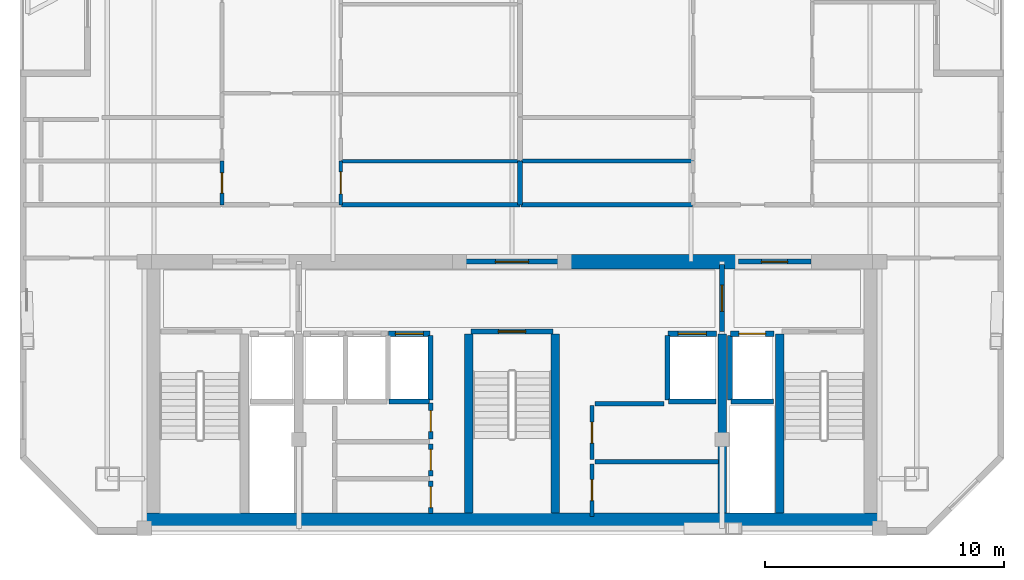
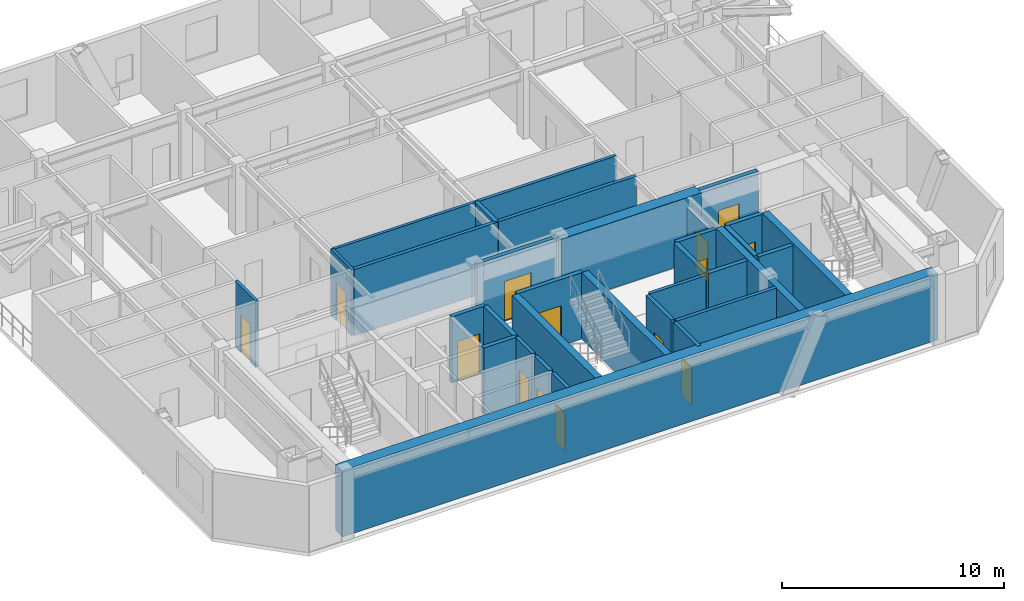
# One storey, part 3 of 7: 33 walls, 14 doors, 14 openings.
"""IFC4 building model written with IfcOpenShell, lengths in metres."""

from ifc_helpers import new_model, si_unit, direction, frame, frame_2d, origin, place, context, subcontext, project, spatial, rectangle, extrude, material, layer, layer_set, type_object, element, fill, save


model = new_model("IFC4")

# Units and contexts
model_context = context("Model", 3, precision=1e-05, world=origin(), true_north=direction((0.0, 1.0)))
body_context = subcontext(model_context, "Body", "Model", "MODEL_VIEW")
ifc_project = project(units=[si_unit("LENGTHUNIT", "METRE"), si_unit("AREAUNIT", "SQUARE_METRE"), si_unit("VOLUMEUNIT", "CUBIC_METRE"), si_unit("PLANEANGLEUNIT", "RADIAN"), si_unit("MASSUNIT", "GRAM", prefix="KILO")], contexts=[model_context])

# Site, building, storey
site_placement = place(None, origin())
site = spatial("IfcSite", under=ifc_project, at=site_placement, CompositionType="ELEMENT")
building_placement = place(site_placement, origin())
building = spatial("IfcBuilding", under=site, at=building_placement, Name="Ventersveld Concourse Tower", CompositionType="ELEMENT")
storey_placement = place(building_placement, frame((0.0, 0.0, 268.300048828125)))
storey = spatial("IfcBuildingStorey", under=building, at=storey_placement, Name="L66", CompositionType="ELEMENT", Elevation=268.300048828125)

# Walls
ifc_material_1 = material(Name="Concrete C50/60", Category="concrete")
ifc_layer_1 = layer(ifc_material_1, 0.35009765625)
ifc_layer_set_1 = layer_set([ifc_layer_1], Name="Concrete C50/60")
wall_type_1 = type_object("IfcWallType", Name="WL-CORE-350U", PredefinedType="SHEAR", material=ifc_layer_set_1)
for number, where, z_axis, x_axis, name in (
    (1, (26.93994140625, 0.919921875, 0.0), (0.0, 0.0, 1.0), (0.0, 1.0, 0.0), "L66 Core Internal Shear Web W-ST3-W"),
    (2, (30.56005859375, 0.919921875, 0.0), (0.0, 0.0, 1.0), (0.0, 1.0, 0.0), "L66 Core Internal Shear Web W-ST3-E"),
    (3, (37.550048828125, 0.919921875, 0.0), (0.0, 0.0, 1.0), (0.0, 1.0, 0.0), "L66 Core Internal Shear Web W-SVL-W"),
    (4, (39.9599609375, 0.919921875, 0.0), (0.0, 0.0, 1.0), (0.0, 1.0, 0.0), "L66 Core Internal Shear Web W-ST2-W"),
):
    element("IfcWall", number, at=place(storey_placement, frame(where, z_axis=z_axis, x_axis=x_axis)), inside=storey, type_object=wall_type_1, Name=name, PredefinedType="SHEAR", context=body_context, shape_type="SweptSolid", body=[
        extrude(rectangle(XDim=7.5, YDim=0.35009765625, at=frame_2d((3.75, 0.0))), origin(), (0.0, 0.0, 1.0), 3.64990234375),
    ])
ifc_layer_2 = layer(ifc_material_1, 0.60009765625)
ifc_layer_set_2 = layer_set([ifc_layer_2], Name="Concrete C50/60")
wall_type_2 = type_object("IfcWallType", Name="WL-CORE-600", PredefinedType="SHEAR", material=ifc_layer_set_2)
wall_1_placement = place(storey_placement, frame((13.25, 0.6201171875, 0.0), z_axis=(0.0, 0.0, 1.0), x_axis=(1.0, 0.0, 0.0)))
element("IfcWall", 5, at=wall_1_placement, inside=storey, type_object=wall_type_2, Name="L66 Rear Core South Shear Wall", PredefinedType="SHEAR", context=body_context, shape_type="SweptSolid", body=[
    extrude(rectangle(XDim=31.0, YDim=0.60009765625, at=frame_2d((15.5, 0.0))), origin(), (0.0, 0.0, 1.0), 3.64990234375),
])
wall_2_placement = place(storey_placement, frame((30.89990234375, 11.449951171875, 0.0), z_axis=(0.0, 0.0, 1.0), x_axis=(1.0, 0.0, 0.0)))
element("IfcWall", 6, at=wall_2_placement, inside=storey, type_object=wall_type_2, Name="L66 Rear Core North Shear Wall NMR", PredefinedType="SHEAR", context=body_context, shape_type="SweptSolid", body=[
    extrude(rectangle(XDim=7.300048828125, YDim=0.60009765625, at=frame_2d((3.64990234375, 0.0))), origin(), (0.0, 0.0, 1.0), 3.64990234375),
])

# Wall, opening, door
ifc_material_2 = material(Name="Fire-rated autoclaved aerated masonry blockwork", Category="masonry")
ifc_layer_3 = layer(ifc_material_2, 0.179931640625)
ifc_layer_set_3 = layer_set([ifc_layer_3], Name="Fire-rated autoclaved aerated masonry blockwork")
wall_type_3 = type_object("IfcWallType", Name="WL-CORR-180", PredefinedType="PARTITIONING", material=ifc_layer_set_3)
wall_3_placement = place(storey_placement, frame((25.35009765625, 0.89990234375, 0.0), z_axis=(0.0, 0.0, 1.0), x_axis=(0.0, 1.0, 0.0)))
wall_3 = element("IfcWall", 7, at=wall_3_placement, inside=storey, type_object=wall_type_3, Name="L66 Core Passage Wall SP-L66-RECB1S", PredefinedType="PARTITIONING", context=body_context, shape_type="SweptSolid", body=[
    extrude(rectangle(XDim=1.3701171875, YDim=0.179931640625, at=frame_2d((0.68505859375, 0.0))), origin(), (0.0, 0.0, 1.0), 3.64990234375),
])
opening_1_placement = place(wall_3_placement, frame((0.2451171875, 0.0, 0.0)))
opening_1 = element("IfcOpeningElement", 8, at=opening_1_placement, cuts=wall_3, Name="Opening FD5", PredefinedType="OPENING", context=body_context, shape_type="SweptSolid", body=[
    extrude(rectangle(XDim=0.8798828125, YDim=2.050048828125, at=frame_2d((0.43994140625, 1.02490234375))), frame((0.0, 0.10009765625, 0.0), z_axis=(0.0, -1.0, 0.0), x_axis=(1.0, 0.0, 0.0)), (0.0, 0.0, 1.0), 0.199951171875),
])
ifc_material_3 = material(Name="Galvanised painted steel", Category="steel")
door_type_1 = type_object("IfcDoorType", Name="DR-RISER-088", OperationType="NOTDEFINED", PredefinedType="DOOR", material=ifc_material_3)
door_1_placement = place(opening_1_placement, origin())
door_1 = element("IfcDoor", 9, at=door_1_placement, inside=storey, type_object=door_type_1, Name="L66 Core Room Door L66 Reclaimed Core Wine Cellar Store (CD-L66-3098)", OperationType="SINGLE_SWING_LEFT", OverallHeight=2.050048828125, OverallWidth=0.8798828125, PredefinedType="DOOR", context=body_context, shape_type="SweptSolid", body=[
    extrude(rectangle(XDim=0.8798828125, YDim=2.050048828125, at=frame_2d((0.43994140625, 1.02490234375))), frame((0.0, 0.02490234375, 0.0), z_axis=(0.0, -1.0, 0.0), x_axis=(1.0, 0.0, 0.0)), (0.0, 0.0, 1.0), 0.050048828125),
])
fill(opening_1, door_1)

wall_4_placement = place(storey_placement, frame((25.35009765625, 2.469970703125, 0.0), z_axis=(0.0, 0.0, 1.0), x_axis=(0.0, 1.0, 0.0)))
wall_4 = element("IfcWall", 10, at=wall_4_placement, inside=storey, type_object=wall_type_3, Name="L66 Core Passage Wall SP-L66-RECB1M", PredefinedType="PARTITIONING", context=body_context, shape_type="SweptSolid", body=[
    extrude(rectangle(XDim=1.340087890625, YDim=0.179931640625, at=frame_2d((0.669921875, 0.0))), origin(), (0.0, 0.0, 1.0), 3.64990234375),
])
opening_2_placement = place(wall_4_placement, frame((0.22998046875, 0.0, 0.0)))
opening_2 = element("IfcOpeningElement", 11, at=opening_2_placement, cuts=wall_4, Name="Opening FD5", PredefinedType="OPENING", context=body_context, shape_type="SweptSolid", body=[
    extrude(rectangle(XDim=0.8798828125, YDim=2.050048828125, at=frame_2d((0.43994140625, 1.02490234375))), frame((0.0, 0.10009765625, 0.0), z_axis=(0.0, -1.0, 0.0), x_axis=(1.0, 0.0, 0.0)), (0.0, 0.0, 1.0), 0.199951171875),
])
door_2_placement = place(opening_2_placement, origin())
door_2 = element("IfcDoor", 12, at=door_2_placement, inside=storey, type_object=door_type_1, Name="L66 Core Room Door L66 Reclaimed Core Archive Store (CD-L66-3099)", OperationType="SINGLE_SWING_RIGHT", OverallHeight=2.050048828125, OverallWidth=0.8798828125, PredefinedType="DOOR", context=body_context, shape_type="SweptSolid", body=[
    extrude(rectangle(XDim=0.8798828125, YDim=2.050048828125, at=frame_2d((0.43994140625, 1.02490234375))), frame((0.0, 0.02490234375, 0.0), z_axis=(0.0, -1.0, 0.0), x_axis=(1.0, 0.0, 0.0)), (0.0, 0.0, 1.0), 0.050048828125),
])
fill(opening_2, door_2)

wall_5_placement = place(storey_placement, frame((25.35009765625, 4.010009765625, 0.0), z_axis=(0.0, 0.0, 1.0), x_axis=(0.0, 1.0, 0.0)))
wall_5 = element("IfcWall", 13, at=wall_5_placement, inside=storey, type_object=wall_type_3, Name="L66 Core Passage Wall SP-L66-RECB1N", PredefinedType="PARTITIONING", context=body_context, shape_type="SweptSolid", body=[
    extrude(rectangle(XDim=1.510009765625, YDim=0.179931640625, at=frame_2d((0.7548828125, 0.0))), origin(), (0.0, 0.0, 1.0), 3.64990234375),
])
opening_3_placement = place(wall_5_placement, frame((0.31494140625, 0.0, 0.0)))
opening_3 = element("IfcOpeningElement", 14, at=opening_3_placement, cuts=wall_5, Name="Opening FD5", PredefinedType="OPENING", context=body_context, shape_type="SweptSolid", body=[
    extrude(rectangle(XDim=0.8798828125, YDim=2.050048828125, at=frame_2d((0.43994140625, 1.02490234375))), frame((0.0, 0.10009765625, 0.0), z_axis=(0.0, -1.0, 0.0), x_axis=(1.0, 0.0, 0.0)), (0.0, 0.0, 1.0), 0.199951171875),
])
door_3_placement = place(opening_3_placement, origin())
door_3 = element("IfcDoor", 15, at=door_3_placement, inside=storey, type_object=door_type_1, Name="L66 Core Room Door L66 Reclaimed Core Pram and Cycle Store (CD-L66-3100)", OperationType="SINGLE_SWING_LEFT", OverallHeight=2.050048828125, OverallWidth=0.8798828125, PredefinedType="DOOR", context=body_context, shape_type="SweptSolid", body=[
    extrude(rectangle(XDim=0.8798828125, YDim=2.050048828125, at=frame_2d((0.43994140625, 1.02490234375))), frame((0.0, 0.02490234375, 0.0), z_axis=(0.0, -1.0, 0.0), x_axis=(1.0, 0.0, 0.0)), (0.0, 0.0, 1.0), 0.050048828125),
])
fill(opening_3, door_3)

wall_6_placement = place(storey_placement, frame((32.10009765625, 0.780029296875, 0.0), z_axis=(0.0, 0.0, 1.0), x_axis=(0.0, 1.0, 0.0)))
wall_6 = element("IfcWall", 16, at=wall_6_placement, inside=storey, type_object=wall_type_3, Name="L66 Core Passage Wall SP-L66-RECB2S", PredefinedType="PARTITIONING", context=body_context, shape_type="SweptSolid", body=[
    extrude(rectangle(XDim=2.199951171875, YDim=0.179931640625, at=frame_2d((1.10009765625, 0.0))), origin(), (0.0, 0.0, 1.0), 3.64990234375),
])
opening_4_placement = place(wall_6_placement, frame((0.659912109375, 0.0, 0.0)))
opening_4 = element("IfcOpeningElement", 17, at=opening_4_placement, cuts=wall_6, Name="Opening FD5", PredefinedType="OPENING", context=body_context, shape_type="SweptSolid", body=[
    extrude(rectangle(XDim=0.8798828125, YDim=2.050048828125, at=frame_2d((0.43994140625, 1.02490234375))), frame((0.0, 0.10009765625, 0.0), z_axis=(0.0, -1.0, 0.0), x_axis=(1.0, 0.0, 0.0)), (0.0, 0.0, 1.0), 0.199951171875),
])
door_4_placement = place(opening_4_placement, origin())
door_4 = element("IfcDoor", 18, at=door_4_placement, inside=storey, type_object=door_type_1, Name="L66 Core Room Door L66 Reclaimed Core Quiet Library Pod (CD-L66-3101)", OperationType="SINGLE_SWING_RIGHT", OverallHeight=2.050048828125, OverallWidth=0.8798828125, PredefinedType="DOOR", context=body_context, shape_type="SweptSolid", body=[
    extrude(rectangle(XDim=0.8798828125, YDim=2.050048828125, at=frame_2d((0.43994140625, 1.02490234375))), frame((0.0, 0.02490234375, 0.0), z_axis=(0.0, -1.0, 0.0), x_axis=(1.0, 0.0, 0.0)), (0.0, 0.0, 1.0), 0.050048828125),
])
fill(opening_4, door_4)

# Wall
wall_7_placement = place(storey_placement, frame((32.219970703125, 3.06005859375, 0.0), z_axis=(0.0, 0.0, 1.0), x_axis=(1.0, 0.0, 0.0)))
element("IfcWall", 19, at=wall_7_placement, inside=storey, type_object=wall_type_3, Name="L66 Core Top Wall SP-L66-RECB2S", PredefinedType="PARTITIONING", context=body_context, shape_type="SweptSolid", body=[
    extrude(rectangle(XDim=5.179931640625, YDim=0.179931640625, at=frame_2d((2.58984375, 0.0))), origin(), (0.0, 0.0, 1.0), 3.64990234375),
])

# Wall, opening, door
wall_8_placement = place(storey_placement, frame((32.10009765625, 3.159912109375, 0.0), z_axis=(0.0, 0.0, 1.0), x_axis=(0.0, 1.0, 0.0)))
wall_8 = element("IfcWall", 20, at=wall_8_placement, inside=storey, type_object=wall_type_3, Name="L66 Core Passage Wall SP-L66-RECB2N", PredefinedType="PARTITIONING", context=body_context, shape_type="SweptSolid", body=[
    extrude(rectangle(XDim=2.260009765625, YDim=0.179931640625, at=frame_2d((1.1298828125, 0.0))), origin(), (0.0, 0.0, 1.0), 3.64990234375),
])
opening_5_placement = place(wall_8_placement, frame((0.68994140625, 0.0, 0.0)))
opening_5 = element("IfcOpeningElement", 21, at=opening_5_placement, cuts=wall_8, Name="Opening FD5", PredefinedType="OPENING", context=body_context, shape_type="SweptSolid", body=[
    extrude(rectangle(XDim=0.8798828125, YDim=2.050048828125, at=frame_2d((0.43994140625, 1.02490234375))), frame((0.0, 0.10009765625, 0.0), z_axis=(0.0, -1.0, 0.0), x_axis=(1.0, 0.0, 0.0)), (0.0, 0.0, 1.0), 0.199951171875),
])
door_5_placement = place(opening_5_placement, origin())
door_5 = element("IfcDoor", 22, at=door_5_placement, inside=storey, type_object=door_type_1, Name="L66 Core Room Door L66 Reclaimed Core Music Practice Room (CD-L66-3102)", OperationType="SINGLE_SWING_LEFT", OverallHeight=2.050048828125, OverallWidth=0.8798828125, PredefinedType="DOOR", context=body_context, shape_type="SweptSolid", body=[
    extrude(rectangle(XDim=0.8798828125, YDim=2.050048828125, at=frame_2d((0.43994140625, 1.02490234375))), frame((0.0, 0.02490234375, 0.0), z_axis=(0.0, -1.0, 0.0), x_axis=(1.0, 0.0, 0.0)), (0.0, 0.0, 1.0), 0.050048828125),
])
fill(opening_5, door_5)

# Walls
wall_9_placement = place(storey_placement, frame((32.219970703125, 5.5, 0.0), z_axis=(0.0, 0.0, 1.0), x_axis=(1.0, 0.0, 0.0)))
element("IfcWall", 23, at=wall_9_placement, inside=storey, type_object=wall_type_3, Name="L66 Core Top Wall SP-L66-RECB2N", PredefinedType="PARTITIONING", context=body_context, shape_type="SweptSolid", body=[
    extrude(rectangle(XDim=2.900146484375, YDim=0.179931640625, at=frame_2d((1.4501953125, 0.0))), origin(), (0.0, 0.0, 1.0), 3.64990234375),
])
wall_10_placement = place(storey_placement, frame((21.616943359375, 13.830078125, 0.0), z_axis=(0.0, 0.0, 1.0), x_axis=(1.0, 0.0, 0.0)))
element("IfcWall", 24, at=wall_10_placement, inside=storey, type_object=wall_type_3, Name="L66 Interior Partition SP-L66-COR-SP-L66-66N1-KIT", PredefinedType="PARTITIONING", context=body_context, shape_type="SweptSolid", body=[
    extrude(rectangle(XDim=7.475830078125, YDim=0.179931640625, at=frame_2d((3.73779296875, 0.0))), origin(), (0.0, 0.0, 1.0), 3.64990234375),
])
wall_11_placement = place(storey_placement, frame((29.122802734375, 13.830078125, 0.0), z_axis=(0.0, 0.0, 1.0), x_axis=(1.0, 0.0, 0.0)))
element("IfcWall", 25, at=wall_11_placement, inside=storey, type_object=wall_type_3, Name="L66 Interior Partition SP-L66-COR-SP-L66-66N2-BATH", PredefinedType="PARTITIONING", context=body_context, shape_type="SweptSolid", body=[
    extrude(rectangle(XDim=7.18115234375, YDim=0.179931640625, at=frame_2d((3.590576171875, 0.0))), origin(), (0.0, 0.0, 1.0), 3.64990234375),
])
ifc_layer_4 = layer(ifc_material_2, 0.199951171875)
ifc_layer_set_4 = layer_set([ifc_layer_4], Name="Fire-rated autoclaved aerated masonry blockwork")
wall_type_4 = type_object("IfcWallType", Name="WL-DEMISE-200", PredefinedType="PARTITIONING", material=ifc_layer_set_4)
wall_12_placement = place(storey_placement, frame((29.087890625, 13.824951171875, 0.0), z_axis=(0.0, 0.0, 1.0), x_axis=(0.0, 1.0, 0.0)))
element("IfcWall", 26, at=wall_12_placement, inside=storey, type_object=wall_type_4, Name="L66 Interior Partition SP-L66-66N1-KIT-SP-L66-66N2-BATH", PredefinedType="PARTITIONING", context=body_context, shape_type="SweptSolid", body=[
    extrude(rectangle(XDim=1.840087890625, YDim=0.199951171875, at=frame_2d((0.919921875, 0.0))), origin(), (0.0, 0.0, 1.0), 3.64990234375),
])
ifc_layer_5 = layer(ifc_material_2, 0.219970703125)
ifc_layer_set_5 = layer_set([ifc_layer_5], Name="Fire-rated autoclaved aerated masonry blockwork")
wall_type_5 = type_object("IfcWallType", Name="WL-HOIST-220", PredefinedType="SOLIDWALL", material=ifc_layer_set_5)
wall_13_placement = place(storey_placement, frame((37.919921875, 5.590087890625, 0.0), z_axis=(0.0, 0.0, 1.0), x_axis=(1.0, 0.0, 0.0)))
element("IfcWall", 27, at=wall_13_placement, inside=storey, type_object=wall_type_5, Name="L66 Lift Hoistway Back Wall FFL-02", PredefinedType="SOLIDWALL", context=body_context, shape_type="SweptSolid", body=[
    extrude(rectangle(XDim=1.780029296875, YDim=0.219970703125, at=frame_2d((0.89013671875, 0.0))), origin(), (0.0, 0.0, 1.0), 3.64990234375),
])
wall_14_placement = place(storey_placement, frame((37.8798828125, 5.64990234375, 0.0), z_axis=(0.0, 0.0, 1.0), x_axis=(0.0, 1.0, 0.0)))
element("IfcWall", 28, at=wall_14_placement, inside=storey, type_object=wall_type_5, Name="L66 Lift Hoistway Side Wall FFL-02W", PredefinedType="SOLIDWALL", context=body_context, shape_type="SweptSolid", body=[
    extrude(rectangle(XDim=2.7001953125, YDim=0.219970703125, at=frame_2d((1.35009765625, 0.0))), origin(), (0.0, 0.0, 1.0), 3.64990234375),
])

# Wall, opening, door
wall_15_placement = place(storey_placement, frame((37.89990234375, 8.429931640625, 0.0), z_axis=(0.0, 0.0, 1.0), x_axis=(1.0, 0.0, 0.0)))
wall_15 = element("IfcWall", 29, at=wall_15_placement, inside=storey, type_object=wall_type_5, Name="L66 Lift Hoistway Front Wall FFL-02", PredefinedType="SOLIDWALL", context=body_context, shape_type="SweptSolid", body=[
    extrude(rectangle(XDim=1.820068359375, YDim=0.219970703125, at=frame_2d((0.91015625, 0.0))), origin(), (0.0, 0.0, 1.0), 3.64990234375),
])
opening_6_placement = place(wall_15_placement, frame((0.35009765625, 0.0, 0.0)))
opening_6 = element("IfcOpeningElement", 30, at=opening_6_placement, cuts=wall_15, Name="Opening LD1", PredefinedType="OPENING", context=body_context, shape_type="SweptSolid", body=[
    extrude(rectangle(XDim=1.1201171875, YDim=2.25, at=frame_2d((0.56005859375, 1.125))), frame((0.0, 0.1201171875, 0.0), z_axis=(0.0, -1.0, 0.0), x_axis=(1.0, 0.0, 0.0)), (0.0, 0.0, 1.0), 0.239990234375),
])
ifc_material_4 = material(Name="Brushed stainless steel 316", Category="steel")
door_type_2 = type_object("IfcDoorType", Name="LD-FF-112", OperationType="SLIDING_TO_LEFT", PredefinedType="DOOR", material=ifc_material_4)
door_6_placement = place(opening_6_placement, origin())
door_6 = element("IfcDoor", 31, at=door_6_placement, inside=storey, type_object=door_type_2, Name="L66 Lift landing door FFL-02 (LD-L66-FFL-02)", OperationType="SLIDING_TO_LEFT", OverallHeight=2.25, OverallWidth=1.1201171875, PredefinedType="DOOR", context=body_context, shape_type="SweptSolid", body=[
    extrude(rectangle(XDim=1.1201171875, YDim=2.25, at=frame_2d((0.56005859375, 1.125))), frame((0.0, 0.02490234375, 0.0), z_axis=(0.0, -1.0, 0.0), x_axis=(1.0, 0.0, 0.0)), (0.0, 0.0, 1.0), 0.050048828125),
])
fill(opening_6, door_6)

# Walls
wall_16_placement = place(storey_placement, frame((35.300048828125, 5.590087890625, 0.0), z_axis=(0.0, 0.0, 1.0), x_axis=(1.0, 0.0, 0.0)))
element("IfcWall", 32, at=wall_16_placement, inside=storey, type_object=wall_type_5, Name="L66 Lift Hoistway Back Wall SVL-01", PredefinedType="SOLIDWALL", context=body_context, shape_type="SweptSolid", body=[
    extrude(rectangle(XDim=2.0, YDim=0.219970703125, at=frame_2d((1.0, 0.0))), origin(), (0.0, 0.0, 1.0), 3.64990234375),
])
wall_17_placement = place(storey_placement, frame((35.260009765625, 5.64990234375, 0.0), z_axis=(0.0, 0.0, 1.0), x_axis=(0.0, 1.0, 0.0)))
element("IfcWall", 33, at=wall_17_placement, inside=storey, type_object=wall_type_5, Name="L66 Lift Hoistway Side Wall SVL-01W", PredefinedType="SOLIDWALL", context=body_context, shape_type="SweptSolid", body=[
    extrude(rectangle(XDim=2.7001953125, YDim=0.219970703125, at=frame_2d((1.35009765625, 0.0))), origin(), (0.0, 0.0, 1.0), 3.64990234375),
])

# Wall, opening, door
wall_18_placement = place(storey_placement, frame((35.280029296875, 8.429931640625, 0.0), z_axis=(0.0, 0.0, 1.0), x_axis=(1.0, 0.0, 0.0)))
wall_18 = element("IfcWall", 34, at=wall_18_placement, inside=storey, type_object=wall_type_5, Name="L66 Lift Hoistway Front Wall SVL-01", PredefinedType="SOLIDWALL", context=body_context, shape_type="SweptSolid", body=[
    extrude(rectangle(XDim=2.0400390625, YDim=0.219970703125, at=frame_2d((1.02001953125, 0.0))), origin(), (0.0, 0.0, 1.0), 3.64990234375),
])
opening_7_placement = place(wall_18_placement, frame((0.429931640625, 0.0, 0.0)))
opening_7 = element("IfcOpeningElement", 35, at=opening_7_placement, cuts=wall_18, Name="Opening LD2", PredefinedType="OPENING", context=body_context, shape_type="SweptSolid", body=[
    extrude(rectangle(XDim=1.179931640625, YDim=2.199951171875, at=frame_2d((0.58984375, 1.10009765625))), frame((0.0, 0.1201171875, 0.0), z_axis=(0.0, -1.0, 0.0), x_axis=(1.0, 0.0, 0.0)), (0.0, 0.0, 1.0), 0.239990234375),
])
door_type_3 = type_object("IfcDoorType", Name="LD-PAX-118", OperationType="SLIDING_TO_LEFT", PredefinedType="DOOR", material=ifc_material_4)
door_7_placement = place(opening_7_placement, origin())
door_7 = element("IfcDoor", 36, at=door_7_placement, inside=storey, type_object=door_type_3, Name="L66 Lift landing door SVL-01 (LD-L66-SVL-01)", OperationType="SLIDING_TO_RIGHT", OverallHeight=2.199951171875, OverallWidth=1.179931640625, PredefinedType="DOOR", context=body_context, shape_type="SweptSolid", body=[
    extrude(rectangle(XDim=1.179931640625, YDim=2.199951171875, at=frame_2d((0.58984375, 1.10009765625))), frame((0.0, 0.02490234375, 0.0), z_axis=(0.0, -1.0, 0.0), x_axis=(1.0, 0.0, 0.0)), (0.0, 0.0, 1.0), 0.050048828125),
])
fill(opening_7, door_7)

# Walls
wall_19_placement = place(storey_placement, frame((23.60009765625, 5.590087890625, 0.0), z_axis=(0.0, 0.0, 1.0), x_axis=(1.0, 0.0, 0.0)))
element("IfcWall", 37, at=wall_19_placement, inside=storey, type_object=wall_type_5, Name="L66 Lift Hoistway Back Wall PH-03", PredefinedType="SOLIDWALL", context=body_context, shape_type="SweptSolid", body=[
    extrude(rectangle(XDim=1.699951171875, YDim=0.219970703125, at=frame_2d((0.85009765625, 0.0))), origin(), (0.0, 0.0, 1.0), 3.64990234375),
])
wall_20_placement = place(storey_placement, frame((25.340087890625, 5.64990234375, 0.0), z_axis=(0.0, 0.0, 1.0), x_axis=(0.0, 1.0, 0.0)))
element("IfcWall", 38, at=wall_20_placement, inside=storey, type_object=wall_type_5, Name="L66 Lift Hoistway Side Wall PH-03E", PredefinedType="SOLIDWALL", context=body_context, shape_type="SweptSolid", body=[
    extrude(rectangle(XDim=2.7001953125, YDim=0.219970703125, at=frame_2d((1.35009765625, 0.0))), origin(), (0.0, 0.0, 1.0), 3.64990234375),
])

# Wall, opening, door
wall_21_placement = place(storey_placement, frame((23.580078125, 8.429931640625, 0.0), z_axis=(0.0, 0.0, 1.0), x_axis=(1.0, 0.0, 0.0)))
wall_21 = element("IfcWall", 39, at=wall_21_placement, inside=storey, type_object=wall_type_5, Name="L66 Lift Hoistway Front Wall PH-03", PredefinedType="SOLIDWALL", context=body_context, shape_type="SweptSolid", body=[
    extrude(rectangle(XDim=1.739990234375, YDim=0.219970703125, at=frame_2d((0.8701171875, 0.0))), origin(), (0.0, 0.0, 1.0), 3.64990234375),
])
opening_8_placement = place(wall_21_placement, frame((0.280029296875, 0.0, 0.0)))
opening_8 = element("IfcOpeningElement", 40, at=opening_8_placement, cuts=wall_21, Name="Opening LD2", PredefinedType="OPENING", context=body_context, shape_type="SweptSolid", body=[
    extrude(rectangle(XDim=1.179931640625, YDim=2.199951171875, at=frame_2d((0.58984375, 1.10009765625))), frame((0.0, 0.1201171875, 0.0), z_axis=(0.0, -1.0, 0.0), x_axis=(1.0, 0.0, 0.0)), (0.0, 0.0, 1.0), 0.239990234375),
])
door_8_placement = place(opening_8_placement, origin())
door_8 = element("IfcDoor", 41, at=door_8_placement, inside=storey, type_object=door_type_3, Name="L66 Lift landing door PH-03 (LD-L66-PH-03)", OperationType="SLIDING_TO_LEFT", OverallHeight=2.199951171875, OverallWidth=1.179931640625, PredefinedType="DOOR", context=body_context, shape_type="SweptSolid", body=[
    extrude(rectangle(XDim=1.179931640625, YDim=2.199951171875, at=frame_2d((0.58984375, 1.10009765625))), frame((0.0, 0.02490234375, 0.0), z_axis=(0.0, -1.0, 0.0), x_axis=(1.0, 0.0, 0.0)), (0.0, 0.0, 1.0), 0.050048828125),
])
fill(opening_8, door_8)

wall_22_placement = place(storey_placement, frame((27.0400390625, 8.52001953125, 0.0), z_axis=(0.0, 0.0, 1.0), x_axis=(1.0, 0.0, 0.0)))
wall_22 = element("IfcWall", 42, at=wall_22_placement, inside=storey, type_object=wall_type_5, Name="L66 Escape Stair ST03 Fire Wall", PredefinedType="SOLIDWALL", context=body_context, shape_type="SweptSolid", body=[
    extrude(rectangle(XDim=3.419921875, YDim=0.219970703125, at=frame_2d((1.7099609375, 0.0))), origin(), (0.0, 0.0, 1.0), 3.64990234375),
])
opening_9_placement = place(wall_22_placement, frame((1.135009765625, 0.0, 0.0)))
opening_9 = element("IfcOpeningElement", 43, at=opening_9_placement, cuts=wall_22, Name="Opening FD1", PredefinedType="OPENING", context=body_context, shape_type="SweptSolid", body=[
    extrude(rectangle(XDim=1.14990234375, YDim=2.199951171875, at=frame_2d((0.574951171875, 1.10009765625))), frame((0.0, 0.1201171875, 0.0), z_axis=(0.0, -1.0, 0.0), x_axis=(1.0, 0.0, 0.0)), (0.0, 0.0, 1.0), 0.239990234375),
])
door_type_4 = type_object("IfcDoorType", Name="DR-STAIR-115", OperationType="NOTDEFINED", PredefinedType="DOOR", material=ifc_material_3)
door_9_placement = place(opening_9_placement, origin())
door_9 = element("IfcDoor", 44, at=door_9_placement, inside=storey, type_object=door_type_4, Name="L66 Escape Stair Door ST03 (SD-L66-3092)", OperationType="SINGLE_SWING_LEFT", OverallHeight=2.199951171875, OverallWidth=1.14990234375, PredefinedType="DOOR", context=body_context, shape_type="SweptSolid", body=[
    extrude(rectangle(XDim=1.14990234375, YDim=2.199951171875, at=frame_2d((0.574951171875, 1.10009765625))), frame((0.0, 0.02490234375, 0.0), z_axis=(0.0, -1.0, 0.0), x_axis=(1.0, 0.0, 0.0)), (0.0, 0.0, 1.0), 0.050048828125),
])
fill(opening_9, door_9)

wall_23_placement = place(storey_placement, frame((37.550048828125, 8.52001953125, 0.0), z_axis=(0.0, 0.0, 1.0), x_axis=(0.0, 1.0, 0.0)))
wall_23 = element("IfcWall", 45, at=wall_23_placement, inside=storey, type_object=wall_type_5, Name="L66 Firefighting Lobby Smoke-Stop Wall FFLE-SEP", PredefinedType="SOLIDWALL", context=body_context, shape_type="SweptSolid", body=[
    extrude(rectangle(XDim=2.800048828125, YDim=0.219970703125, at=frame_2d((1.39990234375, 0.0))), origin(), (0.0, 0.0, 1.0), 3.10546875),
])
opening_10_placement = place(wall_23_placement, frame((0.85009765625, 0.0, 0.0)))
opening_10 = element("IfcOpeningElement", 46, at=opening_10_placement, cuts=wall_23, Name="Opening FD2", PredefinedType="OPENING", context=body_context, shape_type="SweptSolid", body=[
    extrude(rectangle(XDim=1.10009765625, YDim=2.199951171875, at=frame_2d((0.550048828125, 1.10009765625))), frame((0.0, 0.1201171875, 0.0), z_axis=(0.0, -1.0, 0.0), x_axis=(1.0, 0.0, 0.0)), (0.0, 0.0, 1.0), 0.239990234375),
])
door_type_5 = type_object("IfcDoorType", Name="DR-FFL-110", OperationType="NOTDEFINED", PredefinedType="DOOR", material=ifc_material_3)
door_10_placement = place(opening_10_placement, origin())
door_10 = element("IfcDoor", 47, at=door_10_placement, inside=storey, type_object=door_type_5, Name="L66 Firefighting Lobby Door FFLE-SEP (FD-L66-3094)", OperationType="SINGLE_SWING_RIGHT", OverallHeight=2.199951171875, OverallWidth=1.10009765625, PredefinedType="DOOR", context=body_context, shape_type="SweptSolid", body=[
    extrude(rectangle(XDim=1.10009765625, YDim=2.199951171875, at=frame_2d((0.550048828125, 1.10009765625))), frame((0.0, 0.02490234375, 0.0), z_axis=(0.0, -1.0, 0.0), x_axis=(1.0, 0.0, 0.0)), (0.0, 0.0, 1.0), 0.050048828125),
])
fill(opening_10, door_10)

wall_24_placement = place(storey_placement, frame((26.6298828125, 11.449951171875, 0.0), z_axis=(0.0, 0.0, 1.0), x_axis=(1.0, 0.0, 0.0)))
wall_24 = element("IfcWall", 48, at=wall_24_placement, inside=storey, type_object=wall_type_5, Name="L66 Core North Fire Portal PLOB-OUT", PredefinedType="SOLIDWALL", context=body_context, shape_type="SweptSolid", body=[
    extrude(rectangle(XDim=4.240234375, YDim=0.219970703125, at=frame_2d((2.1201171875, 0.0))), origin(), (0.0, 0.0, 1.0), 3.64990234375),
])
opening_11_placement = place(wall_24_placement, frame((1.419921875, 0.0, 0.0)))
opening_11 = element("IfcOpeningElement", 49, at=opening_11_placement, cuts=wall_24, Name="Opening FD4", PredefinedType="OPENING", context=body_context, shape_type="SweptSolid", body=[
    extrude(rectangle(XDim=1.39990234375, YDim=2.199951171875, at=frame_2d((0.699951171875, 1.10009765625))), frame((0.0, 0.1201171875, 0.0), z_axis=(0.0, -1.0, 0.0), x_axis=(1.0, 0.0, 0.0)), (0.0, 0.0, 1.0), 0.239990234375),
])
door_type_6 = type_object("IfcDoorType", Name="DR-PLANT-140", OperationType="DOUBLE_DOOR_SINGLE_SWING", PredefinedType="DOOR", material=ifc_material_3)
door_11_placement = place(opening_11_placement, origin())
door_11 = element("IfcDoor", 50, at=door_11_placement, inside=storey, type_object=door_type_6, Name="L66 Core Lobby Fire Door PLOB-OUT (FD-L66-3096)", OperationType="DOUBLE_DOOR_SINGLE_SWING", OverallHeight=2.199951171875, OverallWidth=1.39990234375, PredefinedType="DOOR", context=body_context, shape_type="SweptSolid", body=[
    extrude(rectangle(XDim=1.39990234375, YDim=2.199951171875, at=frame_2d((0.699951171875, 1.10009765625))), frame((0.0, 0.02490234375, 0.0), z_axis=(0.0, -1.0, 0.0), x_axis=(1.0, 0.0, 0.0)), (0.0, 0.0, 1.0), 0.050048828125),
])
fill(opening_11, door_11)

wall_25_placement = place(storey_placement, frame((38.22998046875, 11.449951171875, 0.0), z_axis=(0.0, 0.0, 1.0), x_axis=(1.0, 0.0, 0.0)))
wall_25 = element("IfcWall", 51, at=wall_25_placement, inside=storey, type_object=wall_type_5, Name="L66 Core North Fire Portal FFLE-OUT", PredefinedType="SOLIDWALL", context=body_context, shape_type="SweptSolid", body=[
    extrude(rectangle(XDim=3.0400390625, YDim=0.219970703125, at=frame_2d((1.52001953125, 0.0))), origin(), (0.0, 0.0, 1.0), 3.64990234375),
])
opening_12_placement = place(wall_25_placement, frame((0.969970703125, 0.0, 0.0)))
opening_12 = element("IfcOpeningElement", 52, at=opening_12_placement, cuts=wall_25, Name="Opening FD2", PredefinedType="OPENING", context=body_context, shape_type="SweptSolid", body=[
    extrude(rectangle(XDim=1.10009765625, YDim=2.199951171875, at=frame_2d((0.550048828125, 1.10009765625))), frame((0.0, 0.1201171875, 0.0), z_axis=(0.0, -1.0, 0.0), x_axis=(1.0, 0.0, 0.0)), (0.0, 0.0, 1.0), 0.239990234375),
])
door_12_placement = place(opening_12_placement, origin())
door_12 = element("IfcDoor", 53, at=door_12_placement, inside=storey, type_object=door_type_5, Name="L66 Core Lobby Fire Door FFLE-OUT (FD-L66-3097)", OperationType="SINGLE_SWING_LEFT", OverallHeight=2.199951171875, OverallWidth=1.10009765625, PredefinedType="DOOR", context=body_context, shape_type="SweptSolid", body=[
    extrude(rectangle(XDim=1.10009765625, YDim=2.199951171875, at=frame_2d((0.550048828125, 1.10009765625))), frame((0.0, 0.02490234375, 0.0), z_axis=(0.0, -1.0, 0.0), x_axis=(1.0, 0.0, 0.0)), (0.0, 0.0, 1.0), 0.050048828125),
])
fill(opening_12, door_12)

ifc_material_5 = material(Name="Autoclaved aerated masonry blockwork", Category="masonry")
ifc_layer_6 = layer(ifc_material_5, 0.14990234375)
ifc_layer_set_6 = layer_set([ifc_layer_6], Name="Autoclaved aerated masonry blockwork")
wall_type_6 = type_object("IfcWallType", Name="WL-INT-150", PredefinedType="PARTITIONING", material=ifc_layer_set_6)
wall_26_placement = place(storey_placement, frame((21.581787109375, 13.824951171875, 0.0), z_axis=(0.0, 0.0, 1.0), x_axis=(0.0, 1.0, 0.0)))
wall_26 = element("IfcWall", 54, at=wall_26_placement, inside=storey, type_object=wall_type_6, Name="L66 Interior Partition SP-L66-66N1-FOY-SP-L66-66N1-KIT", PredefinedType="PARTITIONING", context=body_context, shape_type="SweptSolid", body=[
    extrude(rectangle(XDim=1.840087890625, YDim=0.14990234375, at=frame_2d((0.919921875, 0.0))), origin(), (0.0, 0.0, 1.0), 3.64990234375),
])
opening_13_placement = place(wall_26_placement, frame((0.4599609375, 0.0, 0.0)))
opening_13 = element("IfcOpeningElement", 55, at=opening_13_placement, cuts=wall_26, Name="Opening ID1", PredefinedType="OPENING", context=body_context, shape_type="SweptSolid", body=[
    extrude(rectangle(XDim=0.919921875, YDim=2.10009765625, at=frame_2d((0.4599609375, 1.050048828125))), frame((0.0, 0.0849609375, 0.0), z_axis=(0.0, -1.0, 0.0), x_axis=(1.0, 0.0, 0.0)), (0.0, 0.0, 1.0), 0.169921875),
])
ifc_material_6 = material(Name="Solid-core hardwood veneer timber", Category="wood")
door_type_7 = type_object("IfcDoorType", Name="DR-ROOM-092", OperationType="NOTDEFINED", PredefinedType="DOOR", material=ifc_material_6)
door_13_placement = place(opening_13_placement, origin())
door_13 = element("IfcDoor", 56, at=door_13_placement, inside=storey, type_object=door_type_7, Name="L66 Interior Door SP-L66-66N1-FOY to SP-L66-66N1-KIT (D-L66-3110)", OperationType="SINGLE_SWING_RIGHT", OverallHeight=2.10009765625, OverallWidth=0.919921875, PredefinedType="DOOR", context=body_context, shape_type="SweptSolid", body=[
    extrude(rectangle(XDim=0.919921875, YDim=2.10009765625, at=frame_2d((0.4599609375, 1.050048828125))), frame((0.0, 0.02490234375, 0.0), z_axis=(0.0, -1.0, 0.0), x_axis=(1.0, 0.0, 0.0)), (0.0, 0.0, 1.0), 0.050048828125),
])
fill(opening_13, door_13)

# Wall
wall_27_placement = place(storey_placement, frame((21.576904296875, 15.659912109375, 0.0), z_axis=(0.0, 0.0, 1.0), x_axis=(1.0, 0.0, 0.0)))
element("IfcWall", 57, at=wall_27_placement, inside=storey, type_object=wall_type_6, Name="L66 Interior Partition SP-L66-66N1-KIT-SP-L66-66N1-MEDR1", PredefinedType="PARTITIONING", context=body_context, shape_type="SweptSolid", body=[
    extrude(rectangle(XDim=7.515869140625, YDim=0.14990234375, at=frame_2d((3.7578125, 0.0))), origin(), (0.0, 0.0, 1.0), 3.64990234375),
])

# Wall, opening, door
ifc_layer_7 = layer(ifc_material_5, 0.1650390625)
ifc_layer_set_7 = layer_set([ifc_layer_7], Name="Autoclaved aerated masonry blockwork")
wall_type_7 = type_object("IfcWallType", Name="WL-WET-165", PredefinedType="PLUMBINGWALL", material=ifc_layer_set_7)
wall_28_placement = place(storey_placement, frame((16.601806640625, 13.824951171875, 0.0), z_axis=(0.0, 0.0, 1.0), x_axis=(0.0, 1.0, 0.0)))
wall_28 = element("IfcWall", 58, at=wall_28_placement, inside=storey, type_object=wall_type_7, Name="L66 Interior Partition SP-L66-66N1-FOY-SP-L66-66N1-BATH", PredefinedType="PLUMBINGWALL", context=body_context, shape_type="SweptSolid", body=[
    extrude(rectangle(XDim=1.840087890625, YDim=0.1650390625, at=frame_2d((0.919921875, 0.0))), origin(), (0.0, 0.0, 1.0), 3.64990234375),
])
opening_14_placement = place(wall_28_placement, frame((0.4951171875, 0.0, 0.0)))
opening_14 = element("IfcOpeningElement", 59, at=opening_14_placement, cuts=wall_28, Name="Opening ID2", PredefinedType="OPENING", context=body_context, shape_type="SweptSolid", body=[
    extrude(rectangle(XDim=0.85009765625, YDim=2.10009765625, at=frame_2d((0.425048828125, 1.050048828125))), frame((0.0, 0.092529296875, 0.0), z_axis=(0.0, -1.0, 0.0), x_axis=(1.0, 0.0, 0.0)), (0.0, 0.0, 1.0), 0.18505859375),
])
door_type_8 = type_object("IfcDoorType", Name="DR-BATH-085", OperationType="NOTDEFINED", PredefinedType="DOOR", material=ifc_material_6)
door_14_placement = place(opening_14_placement, origin())
door_14 = element("IfcDoor", 60, at=door_14_placement, inside=storey, type_object=door_type_8, Name="L66 Interior Door SP-L66-66N1-FOY to SP-L66-66N1-BATH (D-L66-3108)", OperationType="SINGLE_SWING_RIGHT", OverallHeight=2.10009765625, OverallWidth=0.85009765625, PredefinedType="DOOR", context=body_context, shape_type="SweptSolid", body=[
    extrude(rectangle(XDim=0.85009765625, YDim=2.10009765625, at=frame_2d((0.425048828125, 1.050048828125))), frame((0.0, 0.02490234375, 0.0), z_axis=(0.0, -1.0, 0.0), x_axis=(1.0, 0.0, 0.0)), (0.0, 0.0, 1.0), 0.050048828125),
])
fill(opening_14, door_14)

# Wall
wall_29_placement = place(storey_placement, frame((29.122802734375, 15.659912109375, 0.0), z_axis=(0.0, 0.0, 1.0), x_axis=(1.0, 0.0, 0.0)))
element("IfcWall", 61, at=wall_29_placement, inside=storey, type_object=wall_type_7, Name="L66 Interior Partition SP-L66-66N2-BATH-SP-L66-66N2-PWDL2", PredefinedType="PLUMBINGWALL", context=body_context, shape_type="SweptSolid", body=[
    extrude(rectangle(XDim=7.22119140625, YDim=0.1650390625, at=frame_2d((3.610595703125, 0.0))), origin(), (0.0, 0.0, 1.0), 3.64990234375),
])

save(model, "model.ifc")
